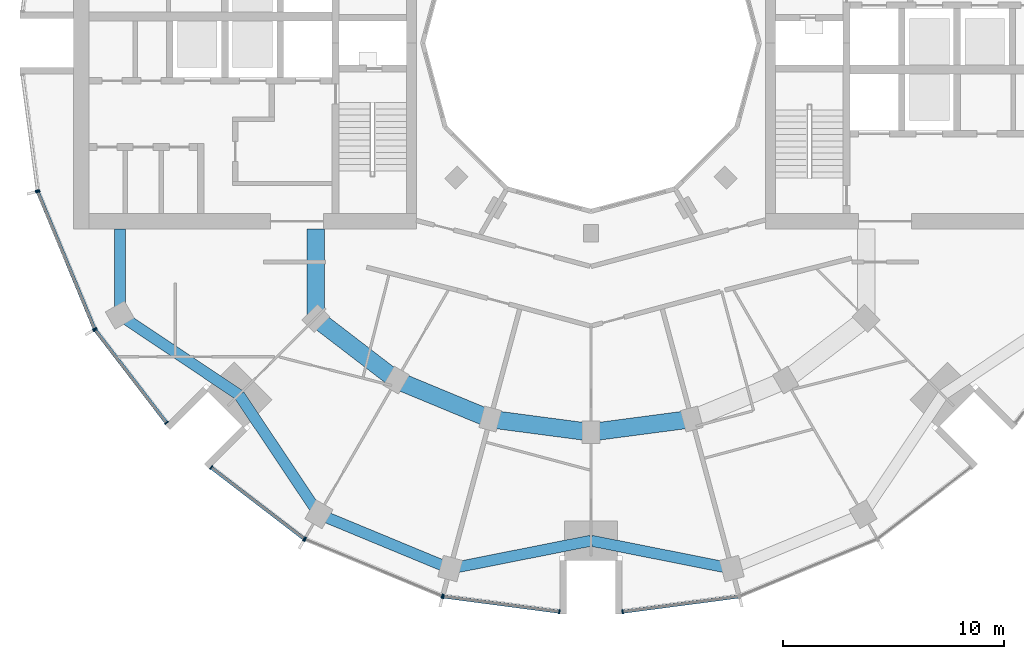
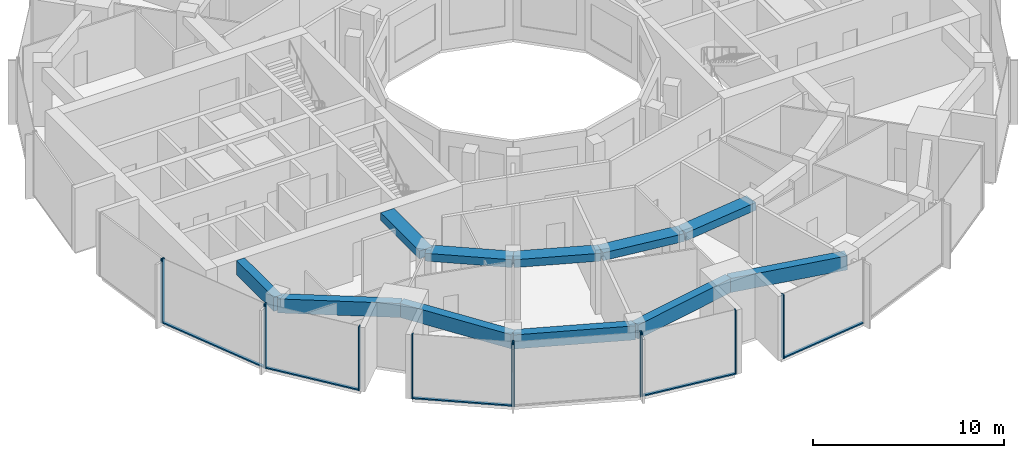
# One storey, part 2 of 15: 17 members, 11 beams, 7 elements without a shape of their own.
"""IFC4 building model written with IfcOpenShell, lengths in metres."""

from ifc_helpers import new_model, si_unit, direction, frame, origin, origin_2d, place, context, subcontext, project, spatial, rectangle, extrude, material, layer, layer_set, material_profile, profile_set, type_object, element, aggregate, save


model = new_model("IFC4")

# Units and contexts
model_context = context("Model", 3, precision=1e-05, world=origin(), true_north=direction((0.0, 1.0)))
body_context = subcontext(model_context, "Body", "Model", "MODEL_VIEW")
ifc_project = project(units=[si_unit("LENGTHUNIT", "METRE"), si_unit("AREAUNIT", "SQUARE_METRE"), si_unit("VOLUMEUNIT", "CUBIC_METRE"), si_unit("PLANEANGLEUNIT", "RADIAN"), si_unit("MASSUNIT", "GRAM", prefix="KILO")], contexts=[model_context])

# Site, building, storey
site_placement = place(None, origin())
site = spatial("IfcSite", under=ifc_project, at=site_placement, CompositionType="ELEMENT")
building_placement = place(site_placement, origin())
building = spatial("IfcBuilding", under=site, at=building_placement, Name="Torre Brocal", CompositionType="ELEMENT")
storey_placement = place(building_placement, frame((0.0, 0.0, 178.199951171875)))
storey = spatial("IfcBuildingStorey", under=building, at=storey_placement, Name="L41", CompositionType="ELEMENT", Elevation=178.199951171875)

# Curtain wall, members
ifc_material_1 = material(Name="Aluminium and glass", Category="aluminium")
ifc_layer_1 = layer(ifc_material_1, 0.199951171875)
ifc_layer_set_1 = layer_set([ifc_layer_1], Name="Aluminium and glass")
curtain_wall_type_1 = type_object("IfcCurtainWallType", Name="CW-1 CURTAIN WALL 4100 HIGH", PredefinedType="NOTDEFINED", material=ifc_layer_set_1)
curtain_wall_1_placement = place(storey_placement, origin())
curtain_wall_1 = element("IfcCurtainWall", 1, at=curtain_wall_1_placement, inside=storey, type_object=curtain_wall_type_1, Name="CW-1 RUN 14", PredefinedType="NOTDEFINED")
ifc_material_2 = material(Name="Aluminium, dark anodised", Category="aluminium")
ifc_material_profile_1 = material_profile(ifc_material_2, rectangle(XDim=0.199951171875, YDim=0.06005859375, at=origin_2d()), Name="CW-1 MULLION 60X200")
ifc_profile_set_1 = profile_set([ifc_material_profile_1], Name="Aluminium, dark anodised")
member_type_1 = type_object("IfcMemberType", Name="CW-1 MULLION 60X200", PredefinedType="MULLION", material=ifc_profile_set_1)
member_1_placement = place(storey_placement, frame((54.994873046875, 68.26904296875, 0.0), z_axis=(0.0, 0.0, 1.0), x_axis=(0.923879532525, 0.382683432333, 0.0)))
member_1 = element("IfcMember", 2, at=member_1_placement, type_object=member_type_1, Name="CW1-4 mullion 1", PredefinedType="MULLION", context=body_context, shape_type="SweptSolid", body=[
    extrude(rectangle(XDim=0.199951171875, YDim=0.06005859375, at=origin_2d()), origin(), (0.0, 0.0, 1.0), 4.10009765625),
])
member_2_placement = place(storey_placement, frame((57.559326171875, 62.078125, 0.0), z_axis=(0.0, 0.0, 1.0), x_axis=(0.923879532525, 0.382683432333, 0.0)))
member_2 = element("IfcMember", 3, at=member_2_placement, type_object=member_type_1, Name="CW1-4 mullion 2", PredefinedType="MULLION", context=body_context, shape_type="SweptSolid", body=[
    extrude(rectangle(XDim=0.199951171875, YDim=0.06005859375, at=origin_2d()), origin(), (0.0, 0.0, 1.0), 4.10009765625),
])

curtain_wall_2_placement = place(storey_placement, origin())
curtain_wall_2 = element("IfcCurtainWall", 4, at=curtain_wall_2_placement, inside=storey, type_object=curtain_wall_type_1, Name="CW-1 RUN 15", PredefinedType="NOTDEFINED")
member_3_placement = place(storey_placement, frame((57.5888671875, 62.026611328125, 0.0), z_axis=(0.0, 0.0, 1.0), x_axis=(0.793353340259, 0.60876142905, 0.0)))
member_3 = element("IfcMember", 5, at=member_3_placement, type_object=member_type_1, Name="CW1-4 mullion 1", PredefinedType="MULLION", context=body_context, shape_type="SweptSolid", body=[
    extrude(rectangle(XDim=0.199951171875, YDim=0.06005859375, at=origin_2d()), origin(), (0.0, 0.0, 1.0), 4.10009765625),
])
member_4_placement = place(storey_placement, frame((60.80859375, 57.83056640625, 0.0), z_axis=(0.0, 0.0, 1.0), x_axis=(0.793353340259, 0.60876142905, 0.0)))
member_4 = element("IfcMember", 6, at=member_4_placement, type_object=member_type_1, Name="CW1-4 mullion 2", PredefinedType="MULLION", context=body_context, shape_type="SweptSolid", body=[
    extrude(rectangle(XDim=0.199951171875, YDim=0.06005859375, at=origin_2d()), origin(), (0.0, 0.0, 1.0), 4.10009765625),
])

curtain_wall_3_placement = place(storey_placement, origin())
curtain_wall_3 = element("IfcCurtainWall", 7, at=curtain_wall_3_placement, inside=storey, type_object=curtain_wall_type_1, Name="CW-1 RUN 16", PredefinedType="NOTDEFINED")
member_5_placement = place(storey_placement, frame((62.83056640625, 55.80859375, 0.0), z_axis=(0.0, 0.0, 1.0), x_axis=(0.60876142905, 0.793353340259, 0.0)))
member_5 = element("IfcMember", 8, at=member_5_placement, type_object=member_type_1, Name="CW1-4 mullion 1", PredefinedType="MULLION", context=body_context, shape_type="SweptSolid", body=[
    extrude(rectangle(XDim=0.199951171875, YDim=0.06005859375, at=origin_2d()), origin(), (0.0, 0.0, 1.0), 4.10009765625),
])
member_6_placement = place(storey_placement, frame((67.026611328125, 52.5888671875, 0.0), z_axis=(0.0, 0.0, 1.0), x_axis=(0.60876142905, 0.793353340259, 0.0)))
member_6 = element("IfcMember", 9, at=member_6_placement, type_object=member_type_1, Name="CW1-4 mullion 2", PredefinedType="MULLION", context=body_context, shape_type="SweptSolid", body=[
    extrude(rectangle(XDim=0.199951171875, YDim=0.06005859375, at=origin_2d()), origin(), (0.0, 0.0, 1.0), 4.10009765625),
])

curtain_wall_4_placement = place(storey_placement, origin())
curtain_wall_4 = element("IfcCurtainWall", 10, at=curtain_wall_4_placement, inside=storey, type_object=curtain_wall_type_1, Name="CW-1 RUN 17", PredefinedType="NOTDEFINED")
member_7_placement = place(storey_placement, frame((67.078125, 52.559326171875, 0.0), z_axis=(0.0, 0.0, 1.0), x_axis=(0.382683432333, 0.923879532525, 0.0)))
member_7 = element("IfcMember", 11, at=member_7_placement, type_object=member_type_1, Name="CW1-4 mullion 1", PredefinedType="MULLION", context=body_context, shape_type="SweptSolid", body=[
    extrude(rectangle(XDim=0.199951171875, YDim=0.06005859375, at=origin_2d()), origin(), (0.0, 0.0, 1.0), 4.10009765625),
])
member_8_placement = place(storey_placement, frame((73.26904296875, 49.994873046875, 0.0), z_axis=(0.0, 0.0, 1.0), x_axis=(0.382683432333, 0.923879532525, 0.0)))
member_8 = element("IfcMember", 12, at=member_8_placement, type_object=member_type_1, Name="CW1-4 mullion 2", PredefinedType="MULLION", context=body_context, shape_type="SweptSolid", body=[
    extrude(rectangle(XDim=0.199951171875, YDim=0.06005859375, at=origin_2d()), origin(), (0.0, 0.0, 1.0), 4.10009765625),
])
aggregate(curtain_wall_4, [member_7, member_8])

curtain_wall_5_placement = place(storey_placement, origin())
curtain_wall_5 = element("IfcCurtainWall", 13, at=curtain_wall_5_placement, inside=storey, type_object=curtain_wall_type_1, Name="CW-1 RUN 18", PredefinedType="NOTDEFINED")
member_9_placement = place(storey_placement, frame((73.32666015625, 49.9794921875, 0.0), z_axis=(0.0, 0.0, 1.0), x_axis=(0.13052619222, 0.991444861374, 0.0)))
member_9 = element("IfcMember", 14, at=member_9_placement, type_object=member_type_1, Name="CW1-4 mullion 1", PredefinedType="MULLION", context=body_context, shape_type="SweptSolid", body=[
    extrude(rectangle(XDim=0.199951171875, YDim=0.06005859375, at=origin_2d()), origin(), (0.0, 0.0, 1.0), 4.10009765625),
])
member_10_placement = place(storey_placement, frame((78.5703125, 49.2890625, 0.0), z_axis=(0.0, 0.0, 1.0), x_axis=(0.13052619222, 0.991444861374, 0.0)))
member_10 = element("IfcMember", 15, at=member_10_placement, type_object=member_type_1, Name="CW1-4 mullion 2", PredefinedType="MULLION", context=body_context, shape_type="SweptSolid", body=[
    extrude(rectangle(XDim=0.199951171875, YDim=0.06005859375, at=origin_2d()), origin(), (0.0, 0.0, 1.0), 4.10009765625),
])

# Curtain wall, member
curtain_wall_6_placement = place(storey_placement, origin())
curtain_wall_6 = element("IfcCurtainWall", 16, at=curtain_wall_6_placement, inside=storey, type_object=curtain_wall_type_1, Name="CW-1 RUN 19", PredefinedType="NOTDEFINED")
member_11_placement = place(storey_placement, frame((81.4296875, 49.2890625, 0.0), z_axis=(0.0, 0.0, 1.0), x_axis=(-0.13052619222, 0.991444861374, 0.0)))
member_11 = element("IfcMember", 17, at=member_11_placement, type_object=member_type_1, Name="CW1-4 mullion 1", PredefinedType="MULLION", context=body_context, shape_type="SweptSolid", body=[
    extrude(rectangle(XDim=0.199951171875, YDim=0.06005859375, at=origin_2d()), origin(), (0.0, 0.0, 1.0), 4.10009765625),
])

# Member
ifc_material_3 = material(Name="Aluminium, dark anodised", Category="aluminium")
ifc_material_profile_2 = material_profile(ifc_material_3, rectangle(XDim=0.159912109375, YDim=0.080078125, at=origin_2d()), Name="CW-1 TRANSOM 160X80")
ifc_profile_set_2 = profile_set([ifc_material_profile_2], Name="Aluminium, dark anodised")
member_type_2 = type_object("IfcMemberType", Name="CW-1 TRANSOM 160X80", PredefinedType="USERDEFINED", material=ifc_profile_set_2)
member_12_placement = place(storey_placement, frame((55.00634765625, 68.241455078125, 0.0400390625), z_axis=(0.38266457234, -0.923887344364, 0.0), x_axis=(0.923887344364, 0.38266457234, 0.0)))
member_12 = element("IfcMember", 18, at=member_12_placement, type_object=member_type_2, Name="CW1-4 transom 1.1", ObjectType="TRANSOM", PredefinedType="USERDEFINED", context=body_context, shape_type="SweptSolid", body=[
    extrude(rectangle(XDim=0.159912109375, YDim=0.080078125, at=origin_2d()), origin(), (0.0, 0.0, 1.0), 6.640869140625),
])

aggregate(curtain_wall_1, [member_1, member_2, member_12])

member_13_placement = place(storey_placement, frame((57.607177734375, 62.0029296875, 0.0400390625), z_axis=(0.60874908096, -0.79336281513, 0.0), x_axis=(0.79336281513, 0.60874908096, 0.0)))
member_13 = element("IfcMember", 19, at=member_13_placement, type_object=member_type_2, Name="CW1-4 transom 1.1", ObjectType="TRANSOM", PredefinedType="USERDEFINED", context=body_context, shape_type="SweptSolid", body=[
    extrude(rectangle(XDim=0.159912109375, YDim=0.080078125, at=origin_2d()), origin(), (0.0, 0.0, 1.0), 5.22900390625),
])

aggregate(curtain_wall_2, [member_3, member_4, member_13])

member_14_placement = place(storey_placement, frame((62.8544921875, 55.790283203125, 0.0400390625), z_axis=(0.79336281513, -0.60874908096, 0.0), x_axis=(0.60874908096, 0.79336281513, 0.0)))
member_14 = element("IfcMember", 20, at=member_14_placement, type_object=member_type_2, Name="CW1-4 transom 1.1", ObjectType="TRANSOM", PredefinedType="USERDEFINED", context=body_context, shape_type="SweptSolid", body=[
    extrude(rectangle(XDim=0.159912109375, YDim=0.080078125, at=origin_2d()), origin(), (0.0, 0.0, 1.0), 5.22900390625),
])

aggregate(curtain_wall_3, [member_5, member_6, member_14])

member_15_placement = place(storey_placement, frame((73.356201171875, 49.9755859375, 0.0400390625), z_axis=(0.991442690863, -0.130542677827, 0.0), x_axis=(0.130542677827, 0.991442690863, 0.0)))
member_15 = element("IfcMember", 21, at=member_15_placement, type_object=member_type_2, Name="CW1-4 transom 1.1", ObjectType="TRANSOM", PredefinedType="USERDEFINED", context=body_context, shape_type="SweptSolid", body=[
    extrude(rectangle(XDim=0.159912109375, YDim=0.080078125, at=origin_2d()), origin(), (0.0, 0.0, 1.0), 5.22900390625),
])

aggregate(curtain_wall_5, [member_9, member_10, member_15])

member_16_placement = place(storey_placement, frame((81.45947265625, 49.29296875, 0.0400390625), z_axis=(0.991442690863, 0.130542677827, 0.0), x_axis=(-0.130542677827, 0.991442690863, 0.0)))
member_16 = element("IfcMember", 22, at=member_16_placement, type_object=member_type_2, Name="CW1-4 transom 1.1", ObjectType="TRANSOM", PredefinedType="USERDEFINED", context=body_context, shape_type="SweptSolid", body=[
    extrude(rectangle(XDim=0.159912109375, YDim=0.080078125, at=origin_2d()), origin(), (0.0, 0.0, 1.0), 5.22900390625),
])

aggregate(curtain_wall_6, [member_11, member_16])

# Curtain wall, member
ifc_material_4 = material(Name="Aluminium and glass", Category="aluminium")
ifc_layer_2 = layer(ifc_material_4, 0.199951171875)
ifc_layer_set_2 = layer_set([ifc_layer_2], Name="Aluminium and glass")
curtain_wall_type_2 = type_object("IfcCurtainWallType", Name="CW-1B CURTAIN WALL 4100 HIGH", PredefinedType="NOTDEFINED", material=ifc_layer_set_2)
curtain_wall_7_placement = place(storey_placement, origin())
curtain_wall_7 = element("IfcCurtainWall", 23, at=curtain_wall_7_placement, inside=storey, type_object=curtain_wall_type_2, Name="CW-1B RUN 13", PredefinedType="NOTDEFINED")
ifc_material_5 = material(Name="Aluminium, dark anodised", Category="aluminium")
ifc_material_profile_3 = material_profile(ifc_material_5, rectangle(XDim=0.199951171875, YDim=0.06005859375, at=origin_2d()), Name="CW-1B MULLION 60X200")
ifc_profile_set_3 = profile_set([ifc_material_profile_3], Name="Aluminium, dark anodised")
member_type_3 = type_object("IfcMemberType", Name="CW-1B MULLION 60X200", PredefinedType="MULLION", material=ifc_profile_set_3)
member_17_placement = place(storey_placement, frame((54.9794921875, 68.32666015625, 0.0), z_axis=(0.0, 0.0, 1.0), x_axis=(0.991444861374, 0.13052619222, 0.0)))
member_17 = element("IfcMember", 24, at=member_17_placement, type_object=member_type_3, Name="CW1B-4 mullion 2", PredefinedType="MULLION", context=body_context, shape_type="SweptSolid", body=[
    extrude(rectangle(XDim=0.199951171875, YDim=0.06005859375, at=origin_2d()), origin(), (0.0, 0.0, 1.0), 4.10009765625),
])
aggregate(curtain_wall_7, [member_17])

# Beams
ifc_material_6 = material(Name="Concrete C50", Category="concrete")
ifc_material_profile_4 = material_profile(ifc_material_6, rectangle(XDim=0.800048828125, YDim=0.5, at=origin_2d()), Name="RC 800X500")
ifc_profile_set_4 = profile_set([ifc_material_profile_4], Name="Concrete C50")
beam_type_1 = type_object("IfcBeamType", Name="RC BEAM 800X500 C50 TOP 3780", PredefinedType="BEAM", material=ifc_profile_set_4)
beam_1_placement = place(storey_placement, frame((67.554931640625, 62.554931640625, 3.530029296875), z_axis=(0.0, 1.0, 0.0), x_axis=(-1.0, 0.0, 0.0)))
element("IfcBeam", 25, at=beam_1_placement, inside=storey, type_object=beam_type_1, Name="Beam BT-32", PredefinedType="BEAM", context=body_context, shape_type="SweptSolid", body=[
    extrude(rectangle(XDim=0.800048828125, YDim=0.5, at=origin_2d()), origin(), (0.0, 0.0, 1.0), 4.045166015625),
])
beam_2_placement = place(storey_placement, frame((67.554931640625, 62.554931640625, 3.530029296875), z_axis=(0.793358265959, -0.6087550097, 0.0), x_axis=(0.6087550097, 0.793358265959, 0.0)))
element("IfcBeam", 26, at=beam_2_placement, inside=storey, type_object=beam_type_1, Name="Beam BT-32", PredefinedType="BEAM", context=body_context, shape_type="SweptSolid", body=[
    extrude(rectangle(XDim=0.800048828125, YDim=0.5, at=origin_2d()), origin(), (0.0, 0.0, 1.0), 4.594482421875),
])
beam_3_placement = place(storey_placement, frame((71.199951171875, 59.758056640625, 3.530029296875), z_axis=(0.923878240166, -0.382686552348, 0.0), x_axis=(0.382686552348, 0.923878240166, 0.0)))
element("IfcBeam", 27, at=beam_3_placement, inside=storey, type_object=beam_type_1, Name="Beam BT-32", PredefinedType="BEAM", context=body_context, shape_type="SweptSolid", body=[
    extrude(rectangle(XDim=0.800048828125, YDim=0.5, at=origin_2d()), origin(), (0.0, 0.0, 1.0), 4.5947265625),
])
for number, where, z_axis, x_axis, name in (
    (28, (75.44482421875, 57.999755859375, 3.530029296875), (0.991440544449, -0.130558978332, 0.0), (0.130558978332, 0.991440544449, 0.0), "Beam BT-32"),
    (29, (80.0, 57.39990234375, 3.530029296875), (0.991440544449, 0.130558978332, 0.0), (-0.130558978332, 0.991440544449, 0.0), "Beam BT-32"),
):
    element("IfcBeam", number, at=place(storey_placement, frame(where, z_axis=z_axis, x_axis=x_axis)), inside=storey, type_object=beam_type_1, Name=name, PredefinedType="BEAM", context=body_context, shape_type="SweptSolid", body=[
        extrude(rectangle(XDim=0.800048828125, YDim=0.5, at=origin_2d()), origin(), (0.0, 0.0, 1.0), 4.594482421875),
    ])
ifc_material_7 = material(Name="Concrete C50", Category="concrete")
ifc_material_profile_5 = material_profile(ifc_material_7, rectangle(XDim=0.5, YDim=0.89990234375, at=origin_2d()), Name="RC 500X900")
ifc_profile_set_5 = profile_set([ifc_material_profile_5], Name="Concrete C50")
beam_type_2 = type_object("IfcBeamType", Name="RC SPANDREL BEAM 500X900 C50 TOP 3780", PredefinedType="SPANDREL", material=ifc_profile_set_5)
beam_4_placement = place(storey_placement, frame((58.69580078125, 62.699951171875, 3.330078125), z_axis=(0.0, 1.0, 0.0), x_axis=(-1.0, 0.0, 0.0)))
element("IfcBeam", 30, at=beam_4_placement, inside=storey, type_object=beam_type_2, Name="Beam BT-33", PredefinedType="SPANDREL", context=body_context, shape_type="SweptSolid", body=[
    extrude(rectangle(XDim=0.5, YDim=0.89990234375, at=origin_2d()), origin(), (0.0, 0.0, 1.0), 3.900146484375),
])
for number, where, z_axis, x_axis, name in (
    (31, (58.69580078125, 62.699951171875, 3.330078125), (0.831076844476, -0.556157602282, 0.0), (0.556157602282, 0.831076844476, 0.0), "Beam BT-33"),
    (32, (64.090087890625, 59.090087890625, 3.330078125), (0.556157602282, -0.831076844476, 0.0), (0.831076844476, 0.556157602282, 0.0), "Beam BT-33"),
):
    element("IfcBeam", number, at=place(storey_placement, frame(where, z_axis=z_axis, x_axis=x_axis)), inside=storey, type_object=beam_type_2, Name=name, PredefinedType="SPANDREL", context=body_context, shape_type="SweptSolid", body=[
        extrude(rectangle(XDim=0.5, YDim=0.89990234375, at=origin_2d()), origin(), (0.0, 0.0, 1.0), 6.49072265625),
    ])
beam_5_placement = place(storey_placement, frame((67.699951171875, 53.69580078125, 3.330078125), z_axis=(0.923882462513, -0.382676358639, 0.0), x_axis=(0.382676358639, 0.923882462513, 0.0)))
element("IfcBeam", 33, at=beam_5_placement, inside=storey, type_object=beam_type_2, Name="Beam BT-33", PredefinedType="SPANDREL", context=body_context, shape_type="SweptSolid", body=[
    extrude(rectangle(XDim=0.5, YDim=0.89990234375, at=origin_2d()), origin(), (0.0, 0.0, 1.0), 6.421875),
])
for number, where, z_axis, x_axis, name in (
    (34, (73.633056640625, 51.23828125, 3.330078125), (0.980924907484, 0.194387051723, 0.0), (-0.194387051723, 0.980924907484, 0.0), "Beam BT-33"),
    (35, (80.0, 52.5, 3.330078125), (0.980924907484, -0.194387051723, 0.0), (0.194387051723, 0.980924907484, 0.0), "Beam BT-33"),
):
    element("IfcBeam", number, at=place(storey_placement, frame(where, z_axis=z_axis, x_axis=x_axis)), inside=storey, type_object=beam_type_2, Name=name, PredefinedType="SPANDREL", context=body_context, shape_type="SweptSolid", body=[
        extrude(rectangle(XDim=0.5, YDim=0.89990234375, at=origin_2d()), origin(), (0.0, 0.0, 1.0), 6.49072265625),
    ])

save(model, "model.ifc")
